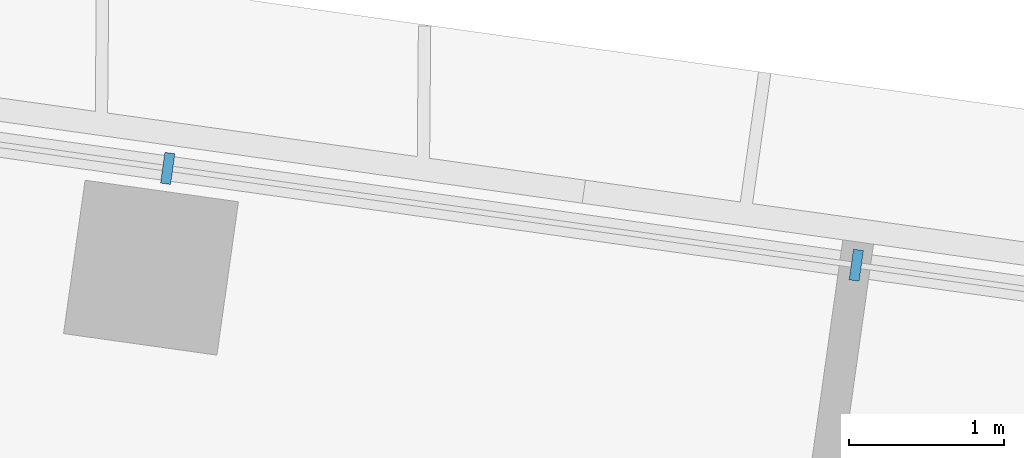
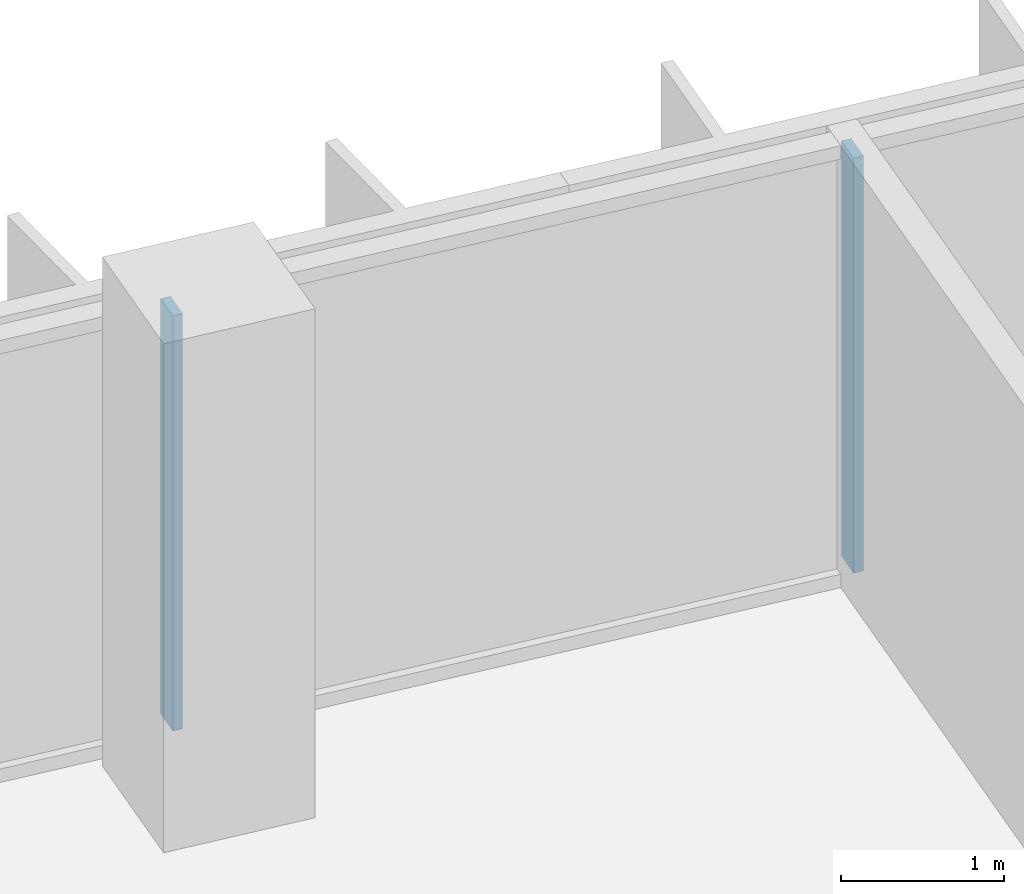
# One storey, part 3 of 24: 2 members, 1 element without a shape of its own.
"""IFC4 building model written with IfcOpenShell, lengths in metres."""

from ifc_helpers import new_model, si_unit, direction, frame, origin, origin_2d, place, context, subcontext, project, spatial, rectangle, extrude, material, material_profile, profile_set, type_object, element, aggregate, save


model = new_model("IFC4")

# Units and contexts
model_context = context("Model", 3, precision=1e-05, world=origin(), true_north=direction((0.0, 1.0)))
body_context = subcontext(model_context, "Body", "Model", "MODEL_VIEW")
ifc_project = project(units=[si_unit("LENGTHUNIT", "METRE"), si_unit("AREAUNIT", "SQUARE_METRE"), si_unit("VOLUMEUNIT", "CUBIC_METRE"), si_unit("PLANEANGLEUNIT", "RADIAN"), si_unit("MASSUNIT", "GRAM", prefix="KILO")], contexts=[model_context])

# Site, building, storey
site_placement = place(None, origin())
site = spatial("IfcSite", under=ifc_project, at=site_placement, CompositionType="ELEMENT")
building_placement = place(site_placement, origin())
building = spatial("IfcBuilding", under=site, at=building_placement, Name="Mirante Cascada Hotel Towers", CompositionType="ELEMENT")
storey_placement = place(building_placement, frame((0.0, 0.0, 88.9)))
storey = spatial("IfcBuildingStorey", under=building, at=storey_placement, Name="L19", CompositionType="ELEMENT", Elevation=88.9)

# Curtain wall, members
ifc_material_1 = material(Name="Aluminium mullion and transom frame with clear laminated glass", Category="aluminium")
curtain_wall_type = type_object("IfcCurtainWallType", Name="Ribbon curtain wall ECW1", PredefinedType="NOTDEFINED", material=ifc_material_1)
curtain_wall_placement = place(storey_placement, origin())
curtain_wall = element("IfcCurtainWall", 1, at=curtain_wall_placement, inside=storey, type_object=curtain_wall_type, Name="Front ribbon wall T1 L19", PredefinedType="NOTDEFINED")
ifc_material_2 = material(Name="Anodised aluminium extrusion", Category="aluminium")
ifc_material_profile = material_profile(ifc_material_2, rectangle(XDim=0.2, YDim=0.065, at=origin_2d()), Name="ECW1 MULLION 65x200")
ifc_profile_set = profile_set([ifc_material_profile], Name="Anodised aluminium extrusion")
member_type = type_object("IfcMemberType", Name="ECW1 mullion 65x200", PredefinedType="MULLION", material=ifc_profile_set)
member_1_placement = place(storey_placement, frame((-71.9211, 22.9269, 0.1), z_axis=(0.0, 0.0, 1.0), x_axis=(0.1391731, 0.9902681, 0.0)))
member_1 = element("IfcMember", 2, at=member_1_placement, type_object=member_type, Name="ECW1 mullion 6", PredefinedType="MULLION", context=body_context, shape_type="SweptSolid", body=[
    extrude(rectangle(XDim=0.2, YDim=0.065, at=origin_2d()), origin(), (0.0, 0.0, 1.0), 3.1),
])
member_2_placement = place(storey_placement, frame((-67.4737, 22.3018, 0.1), z_axis=(0.0, 0.0, 1.0), x_axis=(0.1391731, 0.9902681, 0.0)))
member_2 = element("IfcMember", 3, at=member_2_placement, type_object=member_type, Name="ECW1 mullion 7", PredefinedType="MULLION", context=body_context, shape_type="SweptSolid", body=[
    extrude(rectangle(XDim=0.2, YDim=0.065, at=origin_2d()), origin(), (0.0, 0.0, 1.0), 3.1),
])
aggregate(curtain_wall, [member_1, member_2])

save(model, "model.ifc")
